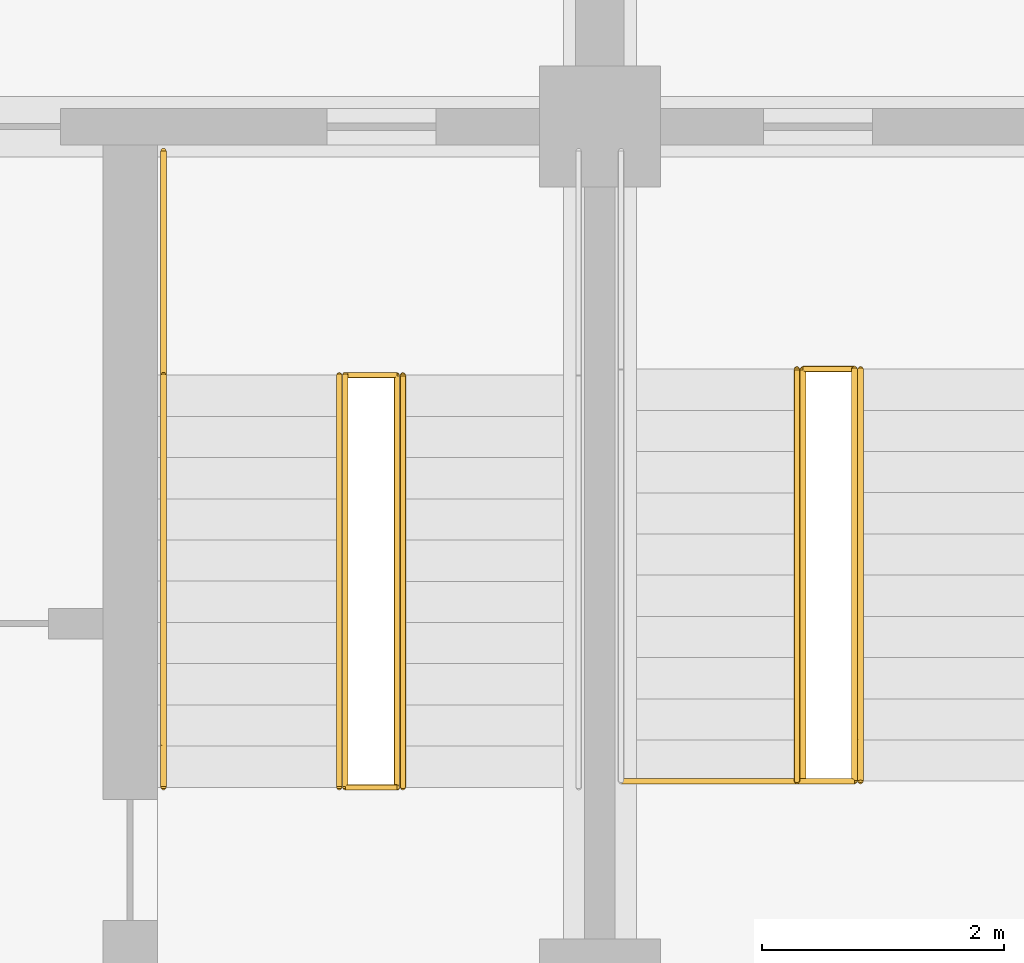
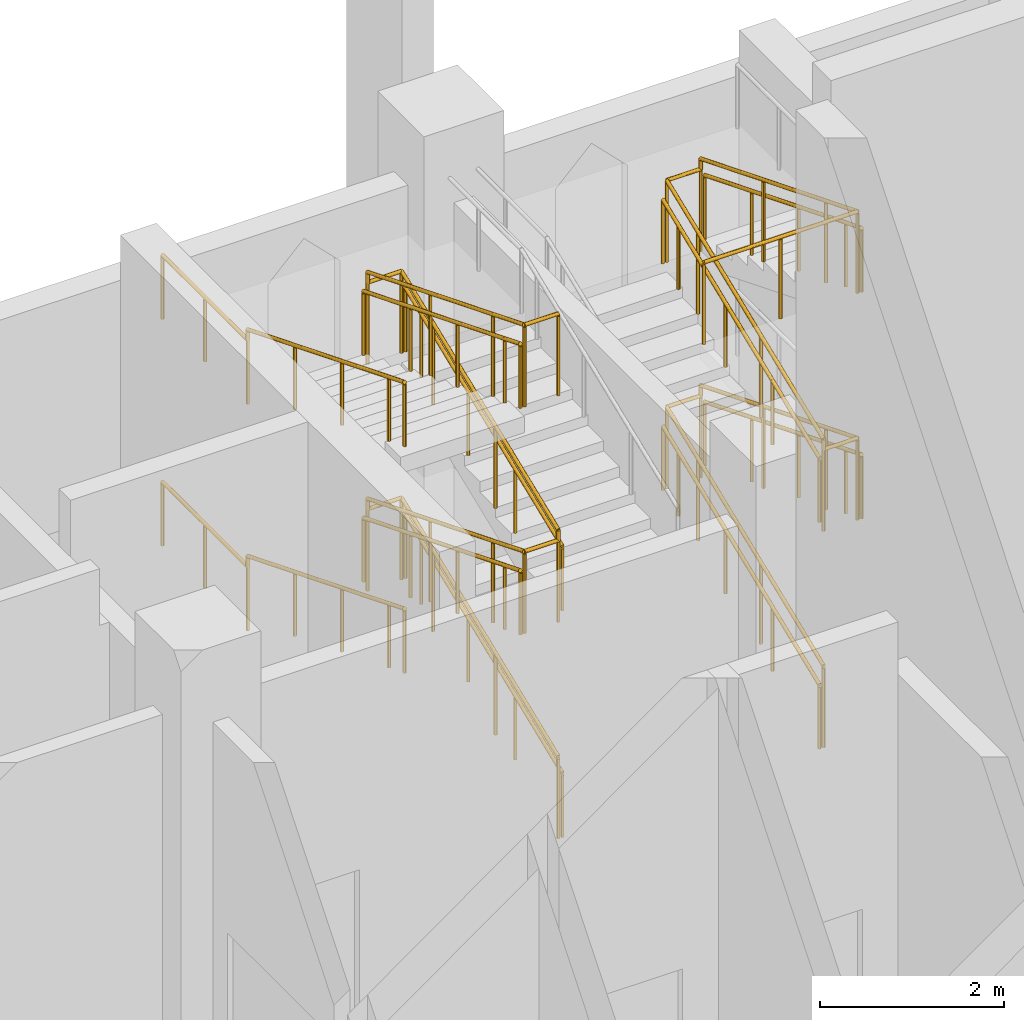
# One storey, part 46 of 50: 12 railings.
"""IFC4 building model written with IfcOpenShell, lengths in metres."""

from ifc_helpers import new_model, si_unit, direction, frame, origin, origin_2d, place, context, subcontext, project, spatial, circle, extrude, material, type_object, element, save


model = new_model("IFC4")

# Units and contexts
model_context = context("Model", 3, precision=1e-05, world=origin(), true_north=direction((0.0, 1.0)))
body_context = subcontext(model_context, "Body", "Model", "MODEL_VIEW")
ifc_project = project(units=[si_unit("LENGTHUNIT", "METRE"), si_unit("AREAUNIT", "SQUARE_METRE"), si_unit("VOLUMEUNIT", "CUBIC_METRE"), si_unit("PLANEANGLEUNIT", "RADIAN"), si_unit("MASSUNIT", "GRAM", prefix="KILO")], contexts=[model_context])

# Site, building, storey
site_placement = place(None, origin())
site = spatial("IfcSite", under=ifc_project, at=site_placement, CompositionType="ELEMENT")
building_placement = place(site_placement, origin())
building = spatial("IfcBuilding", under=site, at=building_placement, Name="Silangan Lancet Faculty of Sciences", CompositionType="ELEMENT")
storey_placement = place(building_placement, origin())
storey = spatial("IfcBuildingStorey", under=building, at=storey_placement, Name="L00", CompositionType="ELEMENT", Elevation=0.0)

# Railings
ifc_material_1 = material(Name="Steel balustrade", Category="steel")
railing_type_1 = type_object("IfcRailingType", Name="STAIR GUARD 1100", PredefinedType="GUARDRAIL", material=ifc_material_1)
railing_1_placement = place(storey_placement, frame((30.47509765625, 52.199951171875, 0.136474609375)))
element("IfcRailing", 1, at=railing_1_placement, inside=storey, type_object=railing_type_1, Name="GUARD-NAB-A-L00", PredefinedType="GUARDRAIL", context=body_context, shape_type="SweptSolid", body=[
    extrude(circle(Radius=0.02392578125, at=origin_2d()), frame((0.0, 0.0, 1.076171875), z_axis=(0.0, 0.928154623156, 0.372194835421), x_axis=(-1.0, 0.0, 0.0)), (0.0, 0.0, 1.0), 1.46533203125),
    extrude(circle(Radius=0.02392578125, at=origin_2d()), frame((0.0, 1.360107421875, 1.62158203125), z_axis=(0.0, 0.928131538224, 0.372252397916), x_axis=(-1.0, 0.0, 0.0)), (0.0, 0.0, 1.0), 1.465087890625),
    extrude(circle(Radius=0.02392578125, at=origin_2d()), frame((0.0, 2.719970703125, 2.1669921875), z_axis=(0.0, 0.928177697381, 0.372137289295), x_axis=(-1.0, 0.0, 0.0)), (0.0, 0.0, 1.0), 0.73291015625),
    extrude(circle(Radius=0.02392578125, at=origin_2d()), frame((0.0, 3.400146484375, 2.439453125), z_axis=(1.0, 0.0, 0.0), x_axis=(0.0, 1.0, 0.0)), (0.0, 0.0, 1.0), 0.4248046875),
    extrude(circle(Radius=0.02392578125, at=origin_2d()), frame((0.4248046875, 3.400146484375, 2.439453125), z_axis=(0.0, 0.0, 1.0), x_axis=(1.0, 0.0, 0.0)), (0.0, 0.0, 1.0), 0.136474609375),
    extrude(circle(Radius=0.02392578125, at=origin_2d()), frame((0.4248046875, 3.400146484375, 2.576171875), z_axis=(0.0, -0.928154623156, 0.372194835421), x_axis=(1.0, 0.0, 0.0)), (0.0, 0.0, 1.0), 1.46533203125),
    extrude(circle(Radius=0.02392578125, at=origin_2d()), frame((0.4248046875, 2.0400390625, 3.12158203125), z_axis=(0.0, -0.928154623156, 0.372194835421), x_axis=(1.0, 0.0, 0.0)), (0.0, 0.0, 1.0), 1.46533203125),
    extrude(circle(Radius=0.02392578125, at=origin_2d()), frame((0.4248046875, 0.679931640625, 3.6669921875), z_axis=(0.0, -0.928131538224, 0.372252397916), x_axis=(1.0, 0.0, 0.0)), (0.0, 0.0, 1.0), 0.732666015625),
    extrude(circle(Radius=0.02392578125, at=origin_2d()), frame((0.4248046875, 0.0, 3.939453125), z_axis=(-1.0, 0.0, 0.0), x_axis=(0.0, -1.0, 0.0)), (0.0, 0.0, 1.0), 0.4248046875),
    extrude(circle(Radius=0.02392578125, at=origin_2d()), frame((0.0, 0.0, 3.939453125), z_axis=(0.0, 0.0, 1.0), x_axis=(1.0, 0.0, 0.0)), (0.0, 0.0, 1.0), 0.136474609375),
    extrude(circle(Radius=0.02392578125, at=origin_2d()), frame((0.0, 0.0, 4.076171875), z_axis=(0.0, 0.928154623156, 0.372194835421), x_axis=(-1.0, 0.0, 0.0)), (0.0, 0.0, 1.0), 1.46533203125),
    extrude(circle(Radius=0.02392578125, at=origin_2d()), frame((0.0, 1.360107421875, 4.62158203125), z_axis=(0.0, 0.928131538224, 0.372252397916), x_axis=(-1.0, 0.0, 0.0)), (0.0, 0.0, 1.0), 1.465087890625),
    extrude(circle(Radius=0.02392578125, at=origin_2d()), frame((0.0, 2.719970703125, 5.1669921875), z_axis=(0.0, 0.928177697381, 0.372137289295), x_axis=(-1.0, 0.0, 0.0)), (0.0, 0.0, 1.0), 0.73291015625),
    extrude(circle(Radius=0.02392578125, at=origin_2d()), frame((0.0, 3.400146484375, 5.439453125), z_axis=(1.0, 0.0, 0.0), x_axis=(0.0, 1.0, 0.0)), (0.0, 0.0, 1.0), 0.4248046875),
    extrude(circle(Radius=0.02392578125, at=origin_2d()), frame((0.4248046875, 3.400146484375, 5.439453125), z_axis=(0.0, 0.0, 1.0), x_axis=(1.0, 0.0, 0.0)), (0.0, 0.0, 1.0), 0.136474609375),
    extrude(circle(Radius=0.02392578125, at=origin_2d()), frame((0.4248046875, 3.400146484375, 5.576171875), z_axis=(0.0, -0.928154623156, 0.372194835421), x_axis=(1.0, 0.0, 0.0)), (0.0, 0.0, 1.0), 1.46533203125),
    extrude(circle(Radius=0.02392578125, at=origin_2d()), frame((0.4248046875, 2.0400390625, 6.12158203125), z_axis=(0.0, -0.928154623156, 0.372194835421), x_axis=(1.0, 0.0, 0.0)), (0.0, 0.0, 1.0), 1.46533203125),
    extrude(circle(Radius=0.02392578125, at=origin_2d()), frame((0.4248046875, 0.679931640625, 6.6669921875), z_axis=(0.0, -0.928131538224, 0.372252397916), x_axis=(1.0, 0.0, 0.0)), (0.0, 0.0, 1.0), 0.732666015625),
    extrude(circle(Radius=0.02392578125, at=origin_2d()), frame((0.4248046875, 0.0, 6.939453125), z_axis=(-1.0, 0.0, 0.0), x_axis=(0.0, -1.0, 0.0)), (0.0, 0.0, 1.0), 1.9248046875),
    extrude(circle(Radius=0.02099609375, at=origin_2d()), origin(), (0.0, 0.0, 1.0), 1.052001953125),
    extrude(circle(Radius=0.02099609375, at=origin_2d()), frame((0.0, 1.360107421875, 0.54541015625)), (0.0, 0.0, 1.0), 1.052001953125),
    extrude(circle(Radius=0.02099609375, at=origin_2d()), frame((0.0, 2.719970703125, 1.0908203125)), (0.0, 0.0, 1.0), 1.052001953125),
    extrude(circle(Radius=0.02099609375, at=origin_2d()), frame((0.0, 3.400146484375, 1.363525390625)), (0.0, 0.0, 1.0), 1.052001953125),
    extrude(circle(Radius=0.02099609375, at=origin_2d()), frame((0.4248046875, 3.400146484375, 1.363525390625)), (0.0, 0.0, 1.0), 1.052001953125),
    extrude(circle(Radius=0.02099609375, at=origin_2d()), frame((0.4248046875, 3.400146484375, 1.5)), (0.0, 0.0, 1.0), 1.052001953125),
    extrude(circle(Radius=0.02099609375, at=origin_2d()), frame((0.4248046875, 2.0400390625, 2.04541015625)), (0.0, 0.0, 1.0), 1.052001953125),
    extrude(circle(Radius=0.02099609375, at=origin_2d()), frame((0.4248046875, 0.679931640625, 2.5908203125)), (0.0, 0.0, 1.0), 1.052001953125),
    extrude(circle(Radius=0.02099609375, at=origin_2d()), frame((0.4248046875, 0.0, 2.863525390625)), (0.0, 0.0, 1.0), 1.052001953125),
    extrude(circle(Radius=0.02099609375, at=origin_2d()), frame((0.0, 0.0, 2.863525390625)), (0.0, 0.0, 1.0), 1.052001953125),
    extrude(circle(Radius=0.02099609375, at=origin_2d()), frame((0.0, 0.0, 3.0)), (0.0, 0.0, 1.0), 1.052001953125),
    extrude(circle(Radius=0.02099609375, at=origin_2d()), frame((0.0, 1.360107421875, 3.54541015625)), (0.0, 0.0, 1.0), 1.052001953125),
    extrude(circle(Radius=0.02099609375, at=origin_2d()), frame((0.0, 2.719970703125, 4.0908203125)), (0.0, 0.0, 1.0), 1.052001953125),
    extrude(circle(Radius=0.02099609375, at=origin_2d()), frame((0.0, 3.400146484375, 4.363525390625)), (0.0, 0.0, 1.0), 1.052001953125),
    extrude(circle(Radius=0.02099609375, at=origin_2d()), frame((0.4248046875, 3.400146484375, 4.363525390625)), (0.0, 0.0, 1.0), 1.052001953125),
    extrude(circle(Radius=0.02099609375, at=origin_2d()), frame((0.4248046875, 3.400146484375, 4.5)), (0.0, 0.0, 1.0), 1.052001953125),
    extrude(circle(Radius=0.02099609375, at=origin_2d()), frame((0.4248046875, 2.0400390625, 5.04541015625)), (0.0, 0.0, 1.0), 1.052001953125),
    extrude(circle(Radius=0.02099609375, at=origin_2d()), frame((0.4248046875, 0.679931640625, 5.5908203125)), (0.0, 0.0, 1.0), 1.052001953125),
    extrude(circle(Radius=0.02099609375, at=origin_2d()), frame((0.4248046875, 0.0, 5.863525390625)), (0.0, 0.0, 1.0), 1.052001953125),
    extrude(circle(Radius=0.02099609375, at=origin_2d()), frame((-0.53759765625, 0.0, 5.863525390625)), (0.0, 0.0, 1.0), 1.052001953125),
    extrude(circle(Radius=0.02099609375, at=origin_2d()), frame((-1.5, 0.0, 5.863525390625)), (0.0, 0.0, 1.0), 1.052001953125),
])
railing_2_placement = place(storey_placement, frame((27.125, 52.14990234375, 0.136474609375)))
element("IfcRailing", 2, at=railing_2_placement, inside=storey, type_object=railing_type_1, Name="GUARD-NT-B-L00", PredefinedType="GUARDRAIL", context=body_context, shape_type="SweptSolid", body=[
    extrude(circle(Radius=0.02392578125, at=origin_2d()), frame((0.0, 0.0, 1.076171875), z_axis=(0.0, 0.928154623156, 0.372194835421), x_axis=(-1.0, 0.0, 0.0)), (0.0, 0.0, 1.0), 1.46533203125),
    extrude(circle(Radius=0.02392578125, at=origin_2d()), frame((0.0, 1.360107421875, 1.62158203125), z_axis=(0.0, 0.928154623156, 0.372194835421), x_axis=(-1.0, 0.0, 0.0)), (0.0, 0.0, 1.0), 1.46533203125),
    extrude(circle(Radius=0.02392578125, at=origin_2d()), frame((0.0, 2.72021484375, 2.1669921875), z_axis=(0.0, 0.928131538224, 0.372252397916), x_axis=(-1.0, 0.0, 0.0)), (0.0, 0.0, 1.0), 0.732666015625),
    extrude(circle(Radius=0.02392578125, at=origin_2d()), frame((0.0, 3.400146484375, 2.439453125), z_axis=(-1.0, 0.0, 0.0), x_axis=(0.0, -1.0, 0.0)), (0.0, 0.0, 1.0), 0.425048828125),
    extrude(circle(Radius=0.02392578125, at=origin_2d()), frame((-0.425048828125, 3.400146484375, 2.439453125), z_axis=(0.0, 0.0, 1.0), x_axis=(1.0, 0.0, 0.0)), (0.0, 0.0, 1.0), 0.136474609375),
    extrude(circle(Radius=0.02392578125, at=origin_2d()), frame((-0.425048828125, 3.400146484375, 2.576171875), z_axis=(0.0, -0.928154623156, 0.372194835421), x_axis=(1.0, 0.0, 0.0)), (0.0, 0.0, 1.0), 1.46533203125),
    extrude(circle(Radius=0.02392578125, at=origin_2d()), frame((-0.425048828125, 2.0400390625, 3.12158203125), z_axis=(0.0, -0.928131538224, 0.372252397916), x_axis=(1.0, 0.0, 0.0)), (0.0, 0.0, 1.0), 1.465087890625),
    extrude(circle(Radius=0.02392578125, at=origin_2d()), frame((-0.425048828125, 0.68017578125, 3.6669921875), z_axis=(0.0, -0.928177697381, 0.372137289295), x_axis=(1.0, 0.0, 0.0)), (0.0, 0.0, 1.0), 0.73291015625),
    extrude(circle(Radius=0.02392578125, at=origin_2d()), frame((-0.425048828125, 0.0, 3.939453125), z_axis=(1.0, 0.0, 0.0), x_axis=(0.0, 1.0, 0.0)), (0.0, 0.0, 1.0), 0.425048828125),
    extrude(circle(Radius=0.02392578125, at=origin_2d()), frame((0.0, 0.0, 3.939453125), z_axis=(0.0, 0.0, 1.0), x_axis=(1.0, 0.0, 0.0)), (0.0, 0.0, 1.0), 0.136474609375),
    extrude(circle(Radius=0.02392578125, at=origin_2d()), frame((0.0, 0.0, 4.076171875), z_axis=(0.0, 0.928154623156, 0.372194835421), x_axis=(-1.0, 0.0, 0.0)), (0.0, 0.0, 1.0), 1.46533203125),
    extrude(circle(Radius=0.02392578125, at=origin_2d()), frame((0.0, 1.360107421875, 4.62158203125), z_axis=(0.0, 0.928154623156, 0.372194835421), x_axis=(-1.0, 0.0, 0.0)), (0.0, 0.0, 1.0), 1.46533203125),
    extrude(circle(Radius=0.02392578125, at=origin_2d()), frame((0.0, 2.72021484375, 5.1669921875), z_axis=(0.0, 0.928131538224, 0.372252397916), x_axis=(-1.0, 0.0, 0.0)), (0.0, 0.0, 1.0), 0.732666015625),
    extrude(circle(Radius=0.02392578125, at=origin_2d()), frame((0.0, 3.400146484375, 5.439453125), z_axis=(-1.0, 0.0, 0.0), x_axis=(0.0, -1.0, 0.0)), (0.0, 0.0, 1.0), 0.425048828125),
    extrude(circle(Radius=0.02392578125, at=origin_2d()), frame((-0.425048828125, 3.400146484375, 5.439453125), z_axis=(0.0, 0.0, 1.0), x_axis=(1.0, 0.0, 0.0)), (0.0, 0.0, 1.0), 0.136474609375),
    extrude(circle(Radius=0.02392578125, at=origin_2d()), frame((-0.425048828125, 3.400146484375, 5.576171875), z_axis=(0.0, -0.928154623156, 0.372194835421), x_axis=(1.0, 0.0, 0.0)), (0.0, 0.0, 1.0), 1.46533203125),
    extrude(circle(Radius=0.02392578125, at=origin_2d()), frame((-0.425048828125, 2.0400390625, 6.12158203125), z_axis=(0.0, -0.928131538224, 0.372252397916), x_axis=(1.0, 0.0, 0.0)), (0.0, 0.0, 1.0), 1.465087890625),
    extrude(circle(Radius=0.02392578125, at=origin_2d()), frame((-0.425048828125, 0.68017578125, 6.6669921875), z_axis=(0.0, -0.928177697381, 0.372137289295), x_axis=(1.0, 0.0, 0.0)), (0.0, 0.0, 1.0), 0.73291015625),
    extrude(circle(Radius=0.02392578125, at=origin_2d()), frame((-0.425048828125, 0.0, 6.939453125), z_axis=(1.0, 0.0, 0.0), x_axis=(0.0, 1.0, 0.0)), (0.0, 0.0, 1.0), 0.425048828125),
    extrude(circle(Radius=0.02099609375, at=origin_2d()), origin(), (0.0, 0.0, 1.0), 1.052001953125),
    extrude(circle(Radius=0.02099609375, at=origin_2d()), frame((0.0, 1.360107421875, 0.54541015625)), (0.0, 0.0, 1.0), 1.052001953125),
    extrude(circle(Radius=0.02099609375, at=origin_2d()), frame((0.0, 2.72021484375, 1.0908203125)), (0.0, 0.0, 1.0), 1.052001953125),
    extrude(circle(Radius=0.02099609375, at=origin_2d()), frame((0.0, 3.400146484375, 1.363525390625)), (0.0, 0.0, 1.0), 1.052001953125),
    extrude(circle(Radius=0.02099609375, at=origin_2d()), frame((-0.425048828125, 3.400146484375, 1.363525390625)), (0.0, 0.0, 1.0), 1.052001953125),
    extrude(circle(Radius=0.02099609375, at=origin_2d()), frame((-0.425048828125, 3.400146484375, 1.5)), (0.0, 0.0, 1.0), 1.052001953125),
    extrude(circle(Radius=0.02099609375, at=origin_2d()), frame((-0.425048828125, 2.0400390625, 2.04541015625)), (0.0, 0.0, 1.0), 1.052001953125),
    extrude(circle(Radius=0.02099609375, at=origin_2d()), frame((-0.425048828125, 0.68017578125, 2.5908203125)), (0.0, 0.0, 1.0), 1.052001953125),
    extrude(circle(Radius=0.02099609375, at=origin_2d()), frame((-0.425048828125, 0.0, 2.863525390625)), (0.0, 0.0, 1.0), 1.052001953125),
    extrude(circle(Radius=0.02099609375, at=origin_2d()), frame((0.0, 0.0, 2.863525390625)), (0.0, 0.0, 1.0), 1.052001953125),
    extrude(circle(Radius=0.02099609375, at=origin_2d()), frame((0.0, 0.0, 3.0)), (0.0, 0.0, 1.0), 1.052001953125),
    extrude(circle(Radius=0.02099609375, at=origin_2d()), frame((0.0, 1.360107421875, 3.54541015625)), (0.0, 0.0, 1.0), 1.052001953125),
    extrude(circle(Radius=0.02099609375, at=origin_2d()), frame((0.0, 2.72021484375, 4.0908203125)), (0.0, 0.0, 1.0), 1.052001953125),
    extrude(circle(Radius=0.02099609375, at=origin_2d()), frame((0.0, 3.400146484375, 4.363525390625)), (0.0, 0.0, 1.0), 1.052001953125),
    extrude(circle(Radius=0.02099609375, at=origin_2d()), frame((-0.425048828125, 3.400146484375, 4.363525390625)), (0.0, 0.0, 1.0), 1.052001953125),
    extrude(circle(Radius=0.02099609375, at=origin_2d()), frame((-0.425048828125, 3.400146484375, 4.5)), (0.0, 0.0, 1.0), 1.052001953125),
    extrude(circle(Radius=0.02099609375, at=origin_2d()), frame((-0.425048828125, 2.0400390625, 5.04541015625)), (0.0, 0.0, 1.0), 1.052001953125),
    extrude(circle(Radius=0.02099609375, at=origin_2d()), frame((-0.425048828125, 0.68017578125, 5.5908203125)), (0.0, 0.0, 1.0), 1.052001953125),
    extrude(circle(Radius=0.02099609375, at=origin_2d()), frame((-0.425048828125, 0.0, 5.863525390625)), (0.0, 0.0, 1.0), 1.052001953125),
    extrude(circle(Radius=0.02099609375, at=origin_2d()), frame((0.0, 0.0, 5.863525390625)), (0.0, 0.0, 1.0), 1.052001953125),
])
ifc_material_2 = material(Name="Stainless steel", Category="steel")
railing_type_2 = type_object("IfcRailingType", Name="STAIR HANDRAIL 865", PredefinedType="HANDRAIL", material=ifc_material_2)
railing_3_placement = place(storey_placement, frame((30.425048828125, 52.199951171875, 0.136474609375)))
element("IfcRailing", 3, at=railing_3_placement, inside=storey, type_object=railing_type_2, Name="HANDRAIL-NAB-A-L00-I1", PredefinedType="HANDRAIL", context=body_context, shape_type="SweptSolid", body=[
    extrude(circle(Radius=0.02392578125, at=origin_2d()), frame((0.0, 0.0, 0.8408203125), z_axis=(0.0, 0.9281852992, 0.372118328425), x_axis=(-1.0, 0.0, 0.0)), (0.0, 0.0, 1.0), 1.098876953125),
    extrude(circle(Radius=0.02392578125, at=origin_2d()), frame((0.0, 1.02001953125, 1.25), z_axis=(0.0, 0.928108552846, 0.372309701908), x_axis=(-1.0, 0.0, 0.0)), (0.0, 0.0, 1.0), 1.09912109375),
    extrude(circle(Radius=0.02392578125, at=origin_2d()), frame((0.0, 2.0400390625, 1.6591796875), z_axis=(0.0, 0.9281852992, 0.372118328425), x_axis=(-1.0, 0.0, 0.0)), (0.0, 0.0, 1.0), 1.098876953125),
    extrude(circle(Radius=0.02392578125, at=origin_2d()), frame((0.0, 3.06005859375, 2.06787109375), z_axis=(0.0, 0.928062591398, 0.372424255988), x_axis=(-1.0, 0.0, 0.0)), (0.0, 0.0, 1.0), 0.366455078125),
    extrude(circle(Radius=0.02099609375, at=origin_2d()), origin(), (0.0, 0.0, 1.0), 0.81689453125),
    extrude(circle(Radius=0.02099609375, at=origin_2d()), frame((0.0, 1.02001953125, 0.408935546875)), (0.0, 0.0, 1.0), 0.81689453125),
    extrude(circle(Radius=0.02099609375, at=origin_2d()), frame((0.0, 2.0400390625, 0.818115234375)), (0.0, 0.0, 1.0), 0.81689453125),
    extrude(circle(Radius=0.02099609375, at=origin_2d()), frame((0.0, 3.06005859375, 1.22705078125)), (0.0, 0.0, 1.0), 0.81689453125),
    extrude(circle(Radius=0.02099609375, at=origin_2d()), frame((0.0, 3.400146484375, 1.363525390625)), (0.0, 0.0, 1.0), 0.81689453125),
])
railing_4_placement = place(storey_placement, frame((30.949951171875, 55.60009765625, 1.636474609375)))
element("IfcRailing", 4, at=railing_4_placement, inside=storey, type_object=railing_type_2, Name="HANDRAIL-NAB-A-L00-I2", PredefinedType="HANDRAIL", context=body_context, shape_type="SweptSolid", body=[
    extrude(circle(Radius=0.02392578125, at=origin_2d()), frame((0.0, 0.0, 0.8408203125), z_axis=(0.0, -0.9281852992, 0.372118328425), x_axis=(1.0, 0.0, 0.0)), (0.0, 0.0, 1.0), 1.098876953125),
    extrude(circle(Radius=0.02392578125, at=origin_2d()), frame((0.0, -1.02001953125, 1.25), z_axis=(0.0, -0.928108552846, 0.372309701908), x_axis=(1.0, 0.0, 0.0)), (0.0, 0.0, 1.0), 1.09912109375),
    extrude(circle(Radius=0.02392578125, at=origin_2d()), frame((0.0, -2.0400390625, 1.6591796875), z_axis=(0.0, -0.9281852992, 0.372118328425), x_axis=(1.0, 0.0, 0.0)), (0.0, 0.0, 1.0), 1.098876953125),
    extrude(circle(Radius=0.02392578125, at=origin_2d()), frame((0.0, -3.06005859375, 2.06787109375), z_axis=(0.0, -0.928062591398, 0.372424255988), x_axis=(1.0, 0.0, 0.0)), (0.0, 0.0, 1.0), 0.366455078125),
    extrude(circle(Radius=0.02099609375, at=origin_2d()), origin(), (0.0, 0.0, 1.0), 0.81689453125),
    extrude(circle(Radius=0.02099609375, at=origin_2d()), frame((0.0, -1.02001953125, 0.408935546875)), (0.0, 0.0, 1.0), 0.81689453125),
    extrude(circle(Radius=0.02099609375, at=origin_2d()), frame((0.0, -2.0400390625, 0.818115234375)), (0.0, 0.0, 1.0), 0.81689453125),
    extrude(circle(Radius=0.02099609375, at=origin_2d()), frame((0.0, -3.06005859375, 1.22705078125)), (0.0, 0.0, 1.0), 0.81689453125),
    extrude(circle(Radius=0.02099609375, at=origin_2d()), frame((0.0, -3.400146484375, 1.363525390625)), (0.0, 0.0, 1.0), 0.81689453125),
])
railing_5_placement = place(storey_placement, frame((30.425048828125, 52.199951171875, 3.136474609375)))
element("IfcRailing", 5, at=railing_5_placement, inside=storey, type_object=railing_type_2, Name="HANDRAIL-NAB-A-L00-I3", PredefinedType="HANDRAIL", context=body_context, shape_type="SweptSolid", body=[
    extrude(circle(Radius=0.02392578125, at=origin_2d()), frame((0.0, 0.0, 0.8408203125), z_axis=(0.0, 0.9281852992, 0.372118328425), x_axis=(-1.0, 0.0, 0.0)), (0.0, 0.0, 1.0), 1.098876953125),
    extrude(circle(Radius=0.02392578125, at=origin_2d()), frame((0.0, 1.02001953125, 1.25), z_axis=(0.0, 0.928108552846, 0.372309701908), x_axis=(-1.0, 0.0, 0.0)), (0.0, 0.0, 1.0), 1.09912109375),
    extrude(circle(Radius=0.02392578125, at=origin_2d()), frame((0.0, 2.0400390625, 1.6591796875), z_axis=(0.0, 0.9281852992, 0.372118328425), x_axis=(-1.0, 0.0, 0.0)), (0.0, 0.0, 1.0), 1.098876953125),
    extrude(circle(Radius=0.02392578125, at=origin_2d()), frame((0.0, 3.06005859375, 2.06787109375), z_axis=(0.0, 0.928062591398, 0.372424255988), x_axis=(-1.0, 0.0, 0.0)), (0.0, 0.0, 1.0), 0.366455078125),
    extrude(circle(Radius=0.02099609375, at=origin_2d()), origin(), (0.0, 0.0, 1.0), 0.81689453125),
    extrude(circle(Radius=0.02099609375, at=origin_2d()), frame((0.0, 1.02001953125, 0.408935546875)), (0.0, 0.0, 1.0), 0.81689453125),
    extrude(circle(Radius=0.02099609375, at=origin_2d()), frame((0.0, 2.0400390625, 0.818115234375)), (0.0, 0.0, 1.0), 0.81689453125),
    extrude(circle(Radius=0.02099609375, at=origin_2d()), frame((0.0, 3.06005859375, 1.22705078125)), (0.0, 0.0, 1.0), 0.81689453125),
    extrude(circle(Radius=0.02099609375, at=origin_2d()), frame((0.0, 3.400146484375, 1.363525390625)), (0.0, 0.0, 1.0), 0.81689453125),
])
railing_6_placement = place(storey_placement, frame((30.949951171875, 55.60009765625, 4.636474609375)))
element("IfcRailing", 6, at=railing_6_placement, inside=storey, type_object=railing_type_2, Name="HANDRAIL-NAB-A-L00-I4", PredefinedType="HANDRAIL", context=body_context, shape_type="SweptSolid", body=[
    extrude(circle(Radius=0.02392578125, at=origin_2d()), frame((0.0, 0.0, 0.8408203125), z_axis=(0.0, -0.9281852992, 0.372118328425), x_axis=(1.0, 0.0, 0.0)), (0.0, 0.0, 1.0), 1.098876953125),
    extrude(circle(Radius=0.02392578125, at=origin_2d()), frame((0.0, -1.02001953125, 1.25), z_axis=(0.0, -0.928108552846, 0.372309701908), x_axis=(1.0, 0.0, 0.0)), (0.0, 0.0, 1.0), 1.09912109375),
    extrude(circle(Radius=0.02392578125, at=origin_2d()), frame((0.0, -2.0400390625, 1.6591796875), z_axis=(0.0, -0.9281852992, 0.372118328425), x_axis=(1.0, 0.0, 0.0)), (0.0, 0.0, 1.0), 1.098876953125),
    extrude(circle(Radius=0.02392578125, at=origin_2d()), frame((0.0, -3.06005859375, 2.06787109375), z_axis=(0.0, -0.928062591398, 0.372424255988), x_axis=(1.0, 0.0, 0.0)), (0.0, 0.0, 1.0), 0.366455078125),
    extrude(circle(Radius=0.02099609375, at=origin_2d()), origin(), (0.0, 0.0, 1.0), 0.81689453125),
    extrude(circle(Radius=0.02099609375, at=origin_2d()), frame((0.0, -1.02001953125, 0.408935546875)), (0.0, 0.0, 1.0), 0.81689453125),
    extrude(circle(Radius=0.02099609375, at=origin_2d()), frame((0.0, -2.0400390625, 0.818115234375)), (0.0, 0.0, 1.0), 0.81689453125),
    extrude(circle(Radius=0.02099609375, at=origin_2d()), frame((0.0, -3.06005859375, 1.22705078125)), (0.0, 0.0, 1.0), 0.81689453125),
    extrude(circle(Radius=0.02099609375, at=origin_2d()), frame((0.0, -3.400146484375, 1.363525390625)), (0.0, 0.0, 1.0), 0.81689453125),
])
railing_7_placement = place(storey_placement, frame((27.175048828125, 52.14990234375, 0.136474609375)))
element("IfcRailing", 7, at=railing_7_placement, inside=storey, type_object=railing_type_2, Name="HANDRAIL-NT-B-L00-I1", PredefinedType="HANDRAIL", context=body_context, shape_type="SweptSolid", body=[
    extrude(circle(Radius=0.02392578125, at=origin_2d()), frame((0.0, 0.0, 0.8408203125), z_axis=(0.0, 0.9281852992, 0.372118328425), x_axis=(-1.0, 0.0, 0.0)), (0.0, 0.0, 1.0), 1.098876953125),
    extrude(circle(Radius=0.02392578125, at=origin_2d()), frame((0.0, 1.02001953125, 1.25), z_axis=(0.0, 0.928108552846, 0.372309701908), x_axis=(-1.0, 0.0, 0.0)), (0.0, 0.0, 1.0), 1.09912109375),
    extrude(circle(Radius=0.02392578125, at=origin_2d()), frame((0.0, 2.0400390625, 1.6591796875), z_axis=(0.0, 0.9281852992, 0.372118328425), x_axis=(-1.0, 0.0, 0.0)), (0.0, 0.0, 1.0), 1.098876953125),
    extrude(circle(Radius=0.02392578125, at=origin_2d()), frame((0.0, 3.06005859375, 2.06787109375), z_axis=(0.0, 0.928062591398, 0.372424255988), x_axis=(-1.0, 0.0, 0.0)), (0.0, 0.0, 1.0), 0.366455078125),
    extrude(circle(Radius=0.02099609375, at=origin_2d()), origin(), (0.0, 0.0, 1.0), 0.81689453125),
    extrude(circle(Radius=0.02099609375, at=origin_2d()), frame((0.0, 1.02001953125, 0.408935546875)), (0.0, 0.0, 1.0), 0.81689453125),
    extrude(circle(Radius=0.02099609375, at=origin_2d()), frame((0.0, 2.0400390625, 0.818115234375)), (0.0, 0.0, 1.0), 0.81689453125),
    extrude(circle(Radius=0.02099609375, at=origin_2d()), frame((0.0, 3.06005859375, 1.22705078125)), (0.0, 0.0, 1.0), 0.81689453125),
    extrude(circle(Radius=0.02099609375, at=origin_2d()), frame((0.0, 3.400146484375, 1.363525390625)), (0.0, 0.0, 1.0), 0.81689453125),
])
railing_8_placement = place(storey_placement, frame((25.199951171875, 57.39990234375, 1.5)))
element("IfcRailing", 8, at=railing_8_placement, inside=storey, type_object=railing_type_2, Name="HANDRAIL-NT-B-L00-O2", PredefinedType="HANDRAIL", context=body_context, shape_type="SweptSolid", body=[
    extrude(circle(Radius=0.02392578125, at=origin_2d()), frame((0.0, 0.0, 0.8408203125), z_axis=(0.0, -1.0, 0.0), x_axis=(1.0, 0.0, 0.0)), (0.0, 0.0, 1.0), 1.849853515625),
    extrude(circle(Radius=0.02392578125, at=origin_2d()), frame((0.0, -1.849853515625, 0.8408203125), z_axis=(0.0, 0.0, 1.0), x_axis=(1.0, 0.0, 0.0)), (0.0, 0.0, 1.0), 0.136474609375),
    extrude(circle(Radius=0.02392578125, at=origin_2d()), frame((0.0, -1.849853515625, 0.9775390625), z_axis=(0.0, -0.9281852992, 0.372118328425), x_axis=(1.0, 0.0, 0.0)), (0.0, 0.0, 1.0), 1.098876953125),
    extrude(circle(Radius=0.02392578125, at=origin_2d()), frame((0.0, -2.869873046875, 1.38623046875), z_axis=(0.0, -0.928108552846, 0.372309701908), x_axis=(1.0, 0.0, 0.0)), (0.0, 0.0, 1.0), 1.09912109375),
    extrude(circle(Radius=0.02392578125, at=origin_2d()), frame((0.0, -3.889892578125, 1.79541015625), z_axis=(0.0, -0.9281852992, 0.372118328425), x_axis=(1.0, 0.0, 0.0)), (0.0, 0.0, 1.0), 1.098876953125),
    extrude(circle(Radius=0.02392578125, at=origin_2d()), frame((0.0, -4.909912109375, 2.20458984375), z_axis=(0.0, -0.928062591398, 0.372424255988), x_axis=(1.0, 0.0, 0.0)), (0.0, 0.0, 1.0), 0.366455078125),
    extrude(circle(Radius=0.02099609375, at=origin_2d()), origin(), (0.0, 0.0, 1.0), 0.81689453125),
    extrude(circle(Radius=0.02099609375, at=origin_2d()), frame((0.0, -0.9248046875, 0.0)), (0.0, 0.0, 1.0), 0.81689453125),
    extrude(circle(Radius=0.02099609375, at=origin_2d()), frame((0.0, -1.849853515625, 0.0)), (0.0, 0.0, 1.0), 0.81689453125),
    extrude(circle(Radius=0.02099609375, at=origin_2d()), frame((0.0, -1.849853515625, 0.136474609375)), (0.0, 0.0, 1.0), 0.81689453125),
    extrude(circle(Radius=0.02099609375, at=origin_2d()), frame((0.0, -2.869873046875, 0.54541015625)), (0.0, 0.0, 1.0), 0.81689453125),
    extrude(circle(Radius=0.02099609375, at=origin_2d()), frame((0.0, -3.889892578125, 0.95458984375)), (0.0, 0.0, 1.0), 0.81689453125),
    extrude(circle(Radius=0.02099609375, at=origin_2d()), frame((0.0, -4.909912109375, 1.363525390625)), (0.0, 0.0, 1.0), 0.81689453125),
    extrude(circle(Radius=0.02099609375, at=origin_2d()), frame((0.0, -5.25, 1.5)), (0.0, 0.0, 1.0), 0.81689453125),
])
railing_9_placement = place(storey_placement, frame((26.64990234375, 55.550048828125, 1.636474609375)))
element("IfcRailing", 9, at=railing_9_placement, inside=storey, type_object=railing_type_2, Name="HANDRAIL-NT-B-L00-I2", PredefinedType="HANDRAIL", context=body_context, shape_type="SweptSolid", body=[
    extrude(circle(Radius=0.02392578125, at=origin_2d()), frame((0.0, 0.0, 0.8408203125), z_axis=(0.0, -0.9281852992, 0.372118328425), x_axis=(1.0, 0.0, 0.0)), (0.0, 0.0, 1.0), 1.098876953125),
    extrude(circle(Radius=0.02392578125, at=origin_2d()), frame((0.0, -1.02001953125, 1.25), z_axis=(0.0, -0.928108552846, 0.372309701908), x_axis=(1.0, 0.0, 0.0)), (0.0, 0.0, 1.0), 1.09912109375),
    extrude(circle(Radius=0.02392578125, at=origin_2d()), frame((0.0, -2.0400390625, 1.6591796875), z_axis=(0.0, -0.9281852992, 0.372118328425), x_axis=(1.0, 0.0, 0.0)), (0.0, 0.0, 1.0), 1.098876953125),
    extrude(circle(Radius=0.02392578125, at=origin_2d()), frame((0.0, -3.06005859375, 2.06787109375), z_axis=(0.0, -0.928062591398, 0.372424255988), x_axis=(1.0, 0.0, 0.0)), (0.0, 0.0, 1.0), 0.366455078125),
    extrude(circle(Radius=0.02099609375, at=origin_2d()), origin(), (0.0, 0.0, 1.0), 0.81689453125),
    extrude(circle(Radius=0.02099609375, at=origin_2d()), frame((0.0, -1.02001953125, 0.408935546875)), (0.0, 0.0, 1.0), 0.81689453125),
    extrude(circle(Radius=0.02099609375, at=origin_2d()), frame((0.0, -2.0400390625, 0.818115234375)), (0.0, 0.0, 1.0), 0.81689453125),
    extrude(circle(Radius=0.02099609375, at=origin_2d()), frame((0.0, -3.06005859375, 1.22705078125)), (0.0, 0.0, 1.0), 0.81689453125),
    extrude(circle(Radius=0.02099609375, at=origin_2d()), frame((0.0, -3.400146484375, 1.363525390625)), (0.0, 0.0, 1.0), 0.81689453125),
])
railing_10_placement = place(storey_placement, frame((27.175048828125, 52.14990234375, 3.136474609375)))
element("IfcRailing", 10, at=railing_10_placement, inside=storey, type_object=railing_type_2, Name="HANDRAIL-NT-B-L00-I3", PredefinedType="HANDRAIL", context=body_context, shape_type="SweptSolid", body=[
    extrude(circle(Radius=0.02392578125, at=origin_2d()), frame((0.0, 0.0, 0.8408203125), z_axis=(0.0, 0.9281852992, 0.372118328425), x_axis=(-1.0, 0.0, 0.0)), (0.0, 0.0, 1.0), 1.098876953125),
    extrude(circle(Radius=0.02392578125, at=origin_2d()), frame((0.0, 1.02001953125, 1.25), z_axis=(0.0, 0.928108552846, 0.372309701908), x_axis=(-1.0, 0.0, 0.0)), (0.0, 0.0, 1.0), 1.09912109375),
    extrude(circle(Radius=0.02392578125, at=origin_2d()), frame((0.0, 2.0400390625, 1.6591796875), z_axis=(0.0, 0.9281852992, 0.372118328425), x_axis=(-1.0, 0.0, 0.0)), (0.0, 0.0, 1.0), 1.098876953125),
    extrude(circle(Radius=0.02392578125, at=origin_2d()), frame((0.0, 3.06005859375, 2.06787109375), z_axis=(0.0, 0.928062591398, 0.372424255988), x_axis=(-1.0, 0.0, 0.0)), (0.0, 0.0, 1.0), 0.366455078125),
    extrude(circle(Radius=0.02099609375, at=origin_2d()), origin(), (0.0, 0.0, 1.0), 0.81689453125),
    extrude(circle(Radius=0.02099609375, at=origin_2d()), frame((0.0, 1.02001953125, 0.408935546875)), (0.0, 0.0, 1.0), 0.81689453125),
    extrude(circle(Radius=0.02099609375, at=origin_2d()), frame((0.0, 2.0400390625, 0.818115234375)), (0.0, 0.0, 1.0), 0.81689453125),
    extrude(circle(Radius=0.02099609375, at=origin_2d()), frame((0.0, 3.06005859375, 1.22705078125)), (0.0, 0.0, 1.0), 0.81689453125),
    extrude(circle(Radius=0.02099609375, at=origin_2d()), frame((0.0, 3.400146484375, 1.363525390625)), (0.0, 0.0, 1.0), 0.81689453125),
])
railing_11_placement = place(storey_placement, frame((25.199951171875, 57.39990234375, 4.5)))
element("IfcRailing", 11, at=railing_11_placement, inside=storey, type_object=railing_type_2, Name="HANDRAIL-NT-B-L00-O4", PredefinedType="HANDRAIL", context=body_context, shape_type="SweptSolid", body=[
    extrude(circle(Radius=0.02392578125, at=origin_2d()), frame((0.0, 0.0, 0.8408203125), z_axis=(0.0, -1.0, 0.0), x_axis=(1.0, 0.0, 0.0)), (0.0, 0.0, 1.0), 1.849853515625),
    extrude(circle(Radius=0.02392578125, at=origin_2d()), frame((0.0, -1.849853515625, 0.8408203125), z_axis=(0.0, 0.0, 1.0), x_axis=(1.0, 0.0, 0.0)), (0.0, 0.0, 1.0), 0.136474609375),
    extrude(circle(Radius=0.02392578125, at=origin_2d()), frame((0.0, -1.849853515625, 0.9775390625), z_axis=(0.0, -0.9281852992, 0.372118328425), x_axis=(1.0, 0.0, 0.0)), (0.0, 0.0, 1.0), 1.098876953125),
    extrude(circle(Radius=0.02392578125, at=origin_2d()), frame((0.0, -2.869873046875, 1.38623046875), z_axis=(0.0, -0.928108552846, 0.372309701908), x_axis=(1.0, 0.0, 0.0)), (0.0, 0.0, 1.0), 1.09912109375),
    extrude(circle(Radius=0.02392578125, at=origin_2d()), frame((0.0, -3.889892578125, 1.79541015625), z_axis=(0.0, -0.9281852992, 0.372118328425), x_axis=(1.0, 0.0, 0.0)), (0.0, 0.0, 1.0), 1.098876953125),
    extrude(circle(Radius=0.02392578125, at=origin_2d()), frame((0.0, -4.909912109375, 2.20458984375), z_axis=(0.0, -0.928062591398, 0.372424255988), x_axis=(1.0, 0.0, 0.0)), (0.0, 0.0, 1.0), 0.366455078125),
    extrude(circle(Radius=0.02099609375, at=origin_2d()), origin(), (0.0, 0.0, 1.0), 0.81689453125),
    extrude(circle(Radius=0.02099609375, at=origin_2d()), frame((0.0, -0.9248046875, 0.0)), (0.0, 0.0, 1.0), 0.81689453125),
    extrude(circle(Radius=0.02099609375, at=origin_2d()), frame((0.0, -1.849853515625, 0.0)), (0.0, 0.0, 1.0), 0.81689453125),
    extrude(circle(Radius=0.02099609375, at=origin_2d()), frame((0.0, -1.849853515625, 0.136474609375)), (0.0, 0.0, 1.0), 0.81689453125),
    extrude(circle(Radius=0.02099609375, at=origin_2d()), frame((0.0, -2.869873046875, 0.54541015625)), (0.0, 0.0, 1.0), 0.81689453125),
    extrude(circle(Radius=0.02099609375, at=origin_2d()), frame((0.0, -3.889892578125, 0.95458984375)), (0.0, 0.0, 1.0), 0.81689453125),
    extrude(circle(Radius=0.02099609375, at=origin_2d()), frame((0.0, -4.909912109375, 1.363525390625)), (0.0, 0.0, 1.0), 0.81689453125),
    extrude(circle(Radius=0.02099609375, at=origin_2d()), frame((0.0, -5.25, 1.5)), (0.0, 0.0, 1.0), 0.81689453125),
])
railing_12_placement = place(storey_placement, frame((26.64990234375, 55.550048828125, 4.636474609375)))
element("IfcRailing", 12, at=railing_12_placement, inside=storey, type_object=railing_type_2, Name="HANDRAIL-NT-B-L00-I4", PredefinedType="HANDRAIL", context=body_context, shape_type="SweptSolid", body=[
    extrude(circle(Radius=0.02392578125, at=origin_2d()), frame((0.0, 0.0, 0.8408203125), z_axis=(0.0, -0.9281852992, 0.372118328425), x_axis=(1.0, 0.0, 0.0)), (0.0, 0.0, 1.0), 1.098876953125),
    extrude(circle(Radius=0.02392578125, at=origin_2d()), frame((0.0, -1.02001953125, 1.25), z_axis=(0.0, -0.928108552846, 0.372309701908), x_axis=(1.0, 0.0, 0.0)), (0.0, 0.0, 1.0), 1.09912109375),
    extrude(circle(Radius=0.02392578125, at=origin_2d()), frame((0.0, -2.0400390625, 1.6591796875), z_axis=(0.0, -0.9281852992, 0.372118328425), x_axis=(1.0, 0.0, 0.0)), (0.0, 0.0, 1.0), 1.098876953125),
    extrude(circle(Radius=0.02392578125, at=origin_2d()), frame((0.0, -3.06005859375, 2.06787109375), z_axis=(0.0, -0.928062591398, 0.372424255988), x_axis=(1.0, 0.0, 0.0)), (0.0, 0.0, 1.0), 0.366455078125),
    extrude(circle(Radius=0.02099609375, at=origin_2d()), origin(), (0.0, 0.0, 1.0), 0.81689453125),
    extrude(circle(Radius=0.02099609375, at=origin_2d()), frame((0.0, -1.02001953125, 0.408935546875)), (0.0, 0.0, 1.0), 0.81689453125),
    extrude(circle(Radius=0.02099609375, at=origin_2d()), frame((0.0, -2.0400390625, 0.818115234375)), (0.0, 0.0, 1.0), 0.81689453125),
    extrude(circle(Radius=0.02099609375, at=origin_2d()), frame((0.0, -3.06005859375, 1.22705078125)), (0.0, 0.0, 1.0), 0.81689453125),
    extrude(circle(Radius=0.02099609375, at=origin_2d()), frame((0.0, -3.400146484375, 1.363525390625)), (0.0, 0.0, 1.0), 0.81689453125),
])

save(model, "model.ifc")
